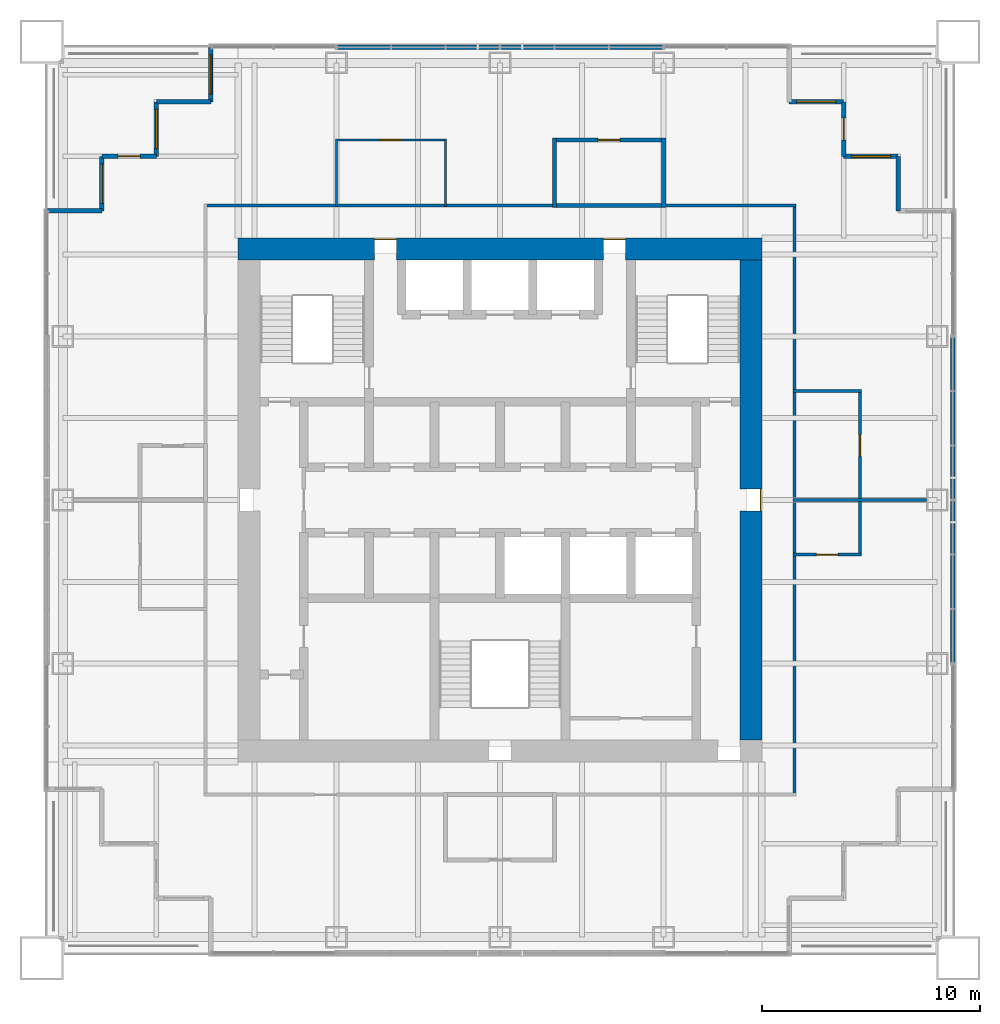
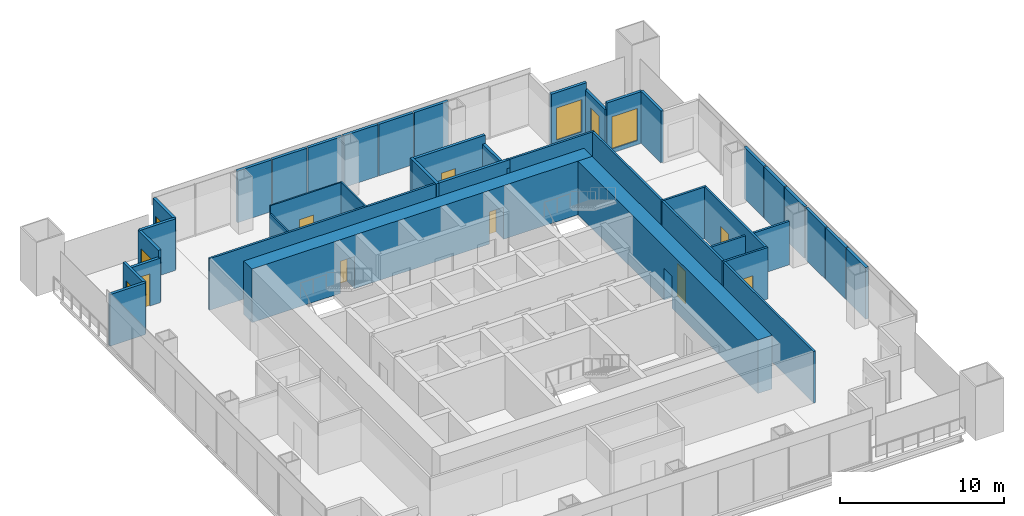
# One storey, part 11 of 14: 38 walls, 9 doors, 5 windows, 14 openings.
"""IFC4 building model written with IfcOpenShell, lengths in metres."""

from ifc_helpers import new_model, si_unit, direction, frame, frame_2d, origin, place, context, subcontext, project, spatial, rectangle, extrude, material, layer, layer_set, type_object, element, fill, save


model = new_model("IFC4")

# Units and contexts
model_context = context("Model", 3, precision=1e-05, world=origin(), true_north=direction((0.0, 1.0)))
body_context = subcontext(model_context, "Body", "Model", "MODEL_VIEW")
ifc_project = project(units=[si_unit("LENGTHUNIT", "METRE"), si_unit("AREAUNIT", "SQUARE_METRE"), si_unit("VOLUMEUNIT", "CUBIC_METRE"), si_unit("PLANEANGLEUNIT", "RADIAN"), si_unit("MASSUNIT", "GRAM", prefix="KILO")], contexts=[model_context])

# Site, building, storey
site_placement = place(None, origin())
site = spatial("IfcSite", under=ifc_project, at=site_placement, CompositionType="ELEMENT")
building_placement = place(site_placement, origin())
building = spatial("IfcBuilding", under=site, at=building_placement, Name="Tarangal Relay Tower", CompositionType="ELEMENT")
storey_placement = place(building_placement, frame((0.0, 0.0, 279.89990234375)))
storey = spatial("IfcBuildingStorey", under=building, at=storey_placement, Name="L61", CompositionType="ELEMENT", Elevation=279.89990234375)

# Wall
ifc_material_1 = material(Name="Two layers gypsum board each side on twin steel studs, mineral wool", Category="steel")
ifc_layer_1 = layer(ifc_material_1, 0.199951171875)
ifc_layer_set_1 = layer_set([ifc_layer_1], Name="Acoustic partition 200")
wall_type_1 = type_object("IfcWallType", Name="Acoustic partition 200", PredefinedType="PARTITIONING", material=ifc_layer_set_1)
wall_1_placement = place(storey_placement, frame((2.39990234375, 13.5, 0.0), z_axis=(0.0, 0.0, 1.0), x_axis=(1.0, 0.0, 0.0)))
element("IfcWall", 1, at=wall_1_placement, inside=storey, type_object=wall_type_1, Name="Partition PT2 L61", PredefinedType="PARTITIONING", context=body_context, shape_type="SweptSolid", body=[
    extrude(rectangle(XDim=5.2001953125, YDim=0.199951171875, at=frame_2d((2.60009765625, 0.0))), origin(), (0.0, 0.0, 1.0), 3.85009765625),
])

# Wall, opening, door
wall_2_placement = place(storey_placement, frame((2.39990234375, 16.5, 0.0), z_axis=(0.0, 0.0, 1.0), x_axis=(1.0, 0.0, 0.0)))
wall_2 = element("IfcWall", 2, at=wall_2_placement, inside=storey, type_object=wall_type_1, Name="Partition PT2 L61", PredefinedType="PARTITIONING", context=body_context, shape_type="SweptSolid", body=[
    extrude(rectangle(XDim=5.2001953125, YDim=0.199951171875, at=frame_2d((2.60009765625, 0.0))), origin(), (0.0, 0.0, 1.0), 3.85009765625),
])
opening_1_placement = place(wall_2_placement, frame((2.10009765625, 0.0, 0.0)))
opening_1 = element("IfcOpeningElement", 3, at=opening_1_placement, cuts=wall_2, Name="Opening D2", PredefinedType="OPENING", context=body_context, shape_type="SweptSolid", body=[
    extrude(rectangle(XDim=1.0, YDim=2.10009765625, at=frame_2d((0.5, 1.050048828125))), frame((0.0, 0.10986328125, 0.0), z_axis=(0.0, -1.0, 0.0), x_axis=(1.0, 0.0, 0.0)), (0.0, 0.0, 1.0), 0.219970703125),
])
ifc_material_2 = material(Name="Hardwood door", Category="wood")
door_type_1 = type_object("IfcDoorType", Name="Door 1000 x 2100", OperationType="SINGLE_SWING_LEFT", PredefinedType="DOOR", material=ifc_material_2)
door_1_placement = place(opening_1_placement, origin())
door_1 = element("IfcDoor", 4, at=door_1_placement, inside=storey, type_object=door_type_1, Name="Door D2 to quiet room L61-03", OperationType="SINGLE_SWING_LEFT", OverallHeight=2.10009765625, OverallWidth=1.0, PredefinedType="DOOR", context=body_context, shape_type="SweptSolid", body=[
    extrude(rectangle(XDim=1.0, YDim=2.10009765625, at=frame_2d((0.5, 1.050048828125))), frame((0.0, 0.02490234375, 0.0), z_axis=(0.0, -1.0, 0.0), x_axis=(1.0, 0.0, 0.0)), (0.0, 0.0, 1.0), 0.050048828125),
])
fill(opening_1, door_1)

# Walls
wall_3_placement = place(storey_placement, frame((2.5, 13.39990234375, 0.0), z_axis=(0.0, 0.0, 1.0), x_axis=(0.0, 1.0, 0.0)))
element("IfcWall", 5, at=wall_3_placement, inside=storey, type_object=wall_type_1, Name="Partition PT2 L61", PredefinedType="PARTITIONING", context=body_context, shape_type="SweptSolid", body=[
    extrude(rectangle(XDim=3.2001953125, YDim=0.199951171875, at=frame_2d((1.60009765625, 0.0))), origin(), (0.0, 0.0, 1.0), 3.85009765625),
])
wall_4_placement = place(storey_placement, frame((7.5, 13.39990234375, 0.0), z_axis=(0.0, 0.0, 1.0), x_axis=(0.0, 1.0, 0.0)))
element("IfcWall", 6, at=wall_4_placement, inside=storey, type_object=wall_type_1, Name="Partition PT2 L61", PredefinedType="PARTITIONING", context=body_context, shape_type="SweptSolid", body=[
    extrude(rectangle(XDim=3.2001953125, YDim=0.199951171875, at=frame_2d((1.60009765625, 0.0))), origin(), (0.0, 0.0, 1.0), 3.2431640625),
])

# Wall, openings, doors
ifc_material_3 = material(Name="Concrete fc' 60 MPa", Category="concrete")
ifc_layer_2 = layer(ifc_material_3, 1.0)
ifc_layer_set_2 = layer_set([ifc_layer_2], Name="Core wall 1000")
wall_type_2 = type_object("IfcWallType", Name="Core wall 1000", PredefinedType="SHEAR", material=ifc_layer_set_2)
wall_5_placement = place(storey_placement, frame((-12.0, 11.5, 0.0), z_axis=(0.0, 0.0, 1.0), x_axis=(1.0, 0.0, 0.0)))
wall_5 = element("IfcWall", 7, at=wall_5_placement, inside=storey, type_object=wall_type_2, Name="Core wall N L61", PredefinedType="SHEAR", context=body_context, shape_type="SweptSolid", body=[
    extrude(rectangle(XDim=24.0, YDim=1.0, at=frame_2d((12.0, 0.0))), origin(), (0.0, 0.0, 1.0), 4.0),
])
opening_2_placement = place(wall_5_placement, frame((6.25, 0.0, 0.0)))
opening_2 = element("IfcOpeningElement", 8, at=opening_2_placement, cuts=wall_5, Name="Opening FD3", PredefinedType="OPENING", context=body_context, shape_type="SweptSolid", body=[
    extrude(rectangle(XDim=1.0, YDim=2.39990234375, at=frame_2d((0.5, 1.199951171875))), frame((0.0, 0.510009765625, 0.0), z_axis=(0.0, -1.0, 0.0), x_axis=(1.0, 0.0, 0.0)), (0.0, 0.0, 1.0), 1.02001953125),
])
opening_3_placement = place(wall_5_placement, frame((16.75, 0.0, 0.0)))
opening_3 = element("IfcOpeningElement", 9, at=opening_3_placement, cuts=wall_5, Name="Opening FD3", PredefinedType="OPENING", context=body_context, shape_type="SweptSolid", body=[
    extrude(rectangle(XDim=1.0, YDim=2.39990234375, at=frame_2d((0.5, 1.199951171875))), frame((0.0, 0.510009765625, 0.0), z_axis=(0.0, -1.0, 0.0), x_axis=(1.0, 0.0, 0.0)), (0.0, 0.0, 1.0), 1.02001953125),
])
ifc_material_4 = material(Name="Steel door with hardwood frame", Category="steel")
door_type_2 = type_object("IfcDoorType", Name="Fire door 1000 x 2400 core entry", OperationType="SINGLE_SWING_RIGHT", PredefinedType="DOOR", material=ifc_material_4)
door_2_placement = place(opening_2_placement, origin())
door_2 = element("IfcDoor", 10, at=door_2_placement, inside=storey, type_object=door_type_2, Name="Core entry door north west L61", OperationType="SINGLE_SWING_RIGHT", OverallHeight=2.39990234375, OverallWidth=1.0, PredefinedType="DOOR", context=body_context, shape_type="SweptSolid", body=[
    extrude(rectangle(XDim=1.0, YDim=2.39990234375, at=frame_2d((0.5, 1.199951171875))), frame((0.0, 0.48486328125, 0.0), z_axis=(0.0, -1.0, 0.0), x_axis=(1.0, 0.0, 0.0)), (0.0, 0.0, 1.0), 0.050048828125),
])
fill(opening_2, door_2)
door_3_placement = place(opening_3_placement, origin())
door_3 = element("IfcDoor", 11, at=door_3_placement, inside=storey, type_object=door_type_2, Name="Core entry door north east L61", OperationType="SINGLE_SWING_RIGHT", OverallHeight=2.39990234375, OverallWidth=1.0, PredefinedType="DOOR", context=body_context, shape_type="SweptSolid", body=[
    extrude(rectangle(XDim=1.0, YDim=2.39990234375, at=frame_2d((0.5, 1.199951171875))), frame((0.0, 0.48486328125, 0.0), z_axis=(0.0, -1.0, 0.0), x_axis=(1.0, 0.0, 0.0)), (0.0, 0.0, 1.0), 0.050048828125),
])
fill(opening_3, door_3)

# Wall, opening, door
wall_6_placement = place(storey_placement, frame((11.5, 11.0, 0.0), z_axis=(0.0, 0.0, 1.0), x_axis=(0.0, -1.0, 0.0)))
wall_6 = element("IfcWall", 12, at=wall_6_placement, inside=storey, type_object=wall_type_2, Name="Core wall E L61", PredefinedType="SHEAR", context=body_context, shape_type="SweptSolid", body=[
    extrude(rectangle(XDim=22.0, YDim=1.0, at=frame_2d((11.0, 0.0))), origin(), (0.0, 0.0, 1.0), 4.0),
])
opening_4_placement = place(wall_6_placement, frame((10.5, 0.0, 0.0)))
opening_4 = element("IfcOpeningElement", 13, at=opening_4_placement, cuts=wall_6, Name="Opening FD3", PredefinedType="OPENING", context=body_context, shape_type="SweptSolid", body=[
    extrude(rectangle(XDim=1.0, YDim=2.39990234375, at=frame_2d((0.5, 1.199951171875))), frame((0.0, 0.510009765625, 0.0), z_axis=(0.0, -1.0, 0.0), x_axis=(1.0, 0.0, 0.0)), (0.0, 0.0, 1.0), 1.02001953125),
])
door_4_placement = place(opening_4_placement, origin())
door_4 = element("IfcDoor", 14, at=door_4_placement, inside=storey, type_object=door_type_2, Name="Core entry door east L61", OperationType="SINGLE_SWING_RIGHT", OverallHeight=2.39990234375, OverallWidth=1.0, PredefinedType="DOOR", context=body_context, shape_type="SweptSolid", body=[
    extrude(rectangle(XDim=1.0, YDim=2.39990234375, at=frame_2d((0.5, 1.199951171875))), frame((0.0, 0.48486328125, 0.0), z_axis=(0.0, -1.0, 0.0), x_axis=(1.0, 0.0, 0.0)), (0.0, 0.0, 1.0), 0.050048828125),
])
fill(opening_4, door_4)

# Wall, opening, window
ifc_material_5 = material(Name="Black metal clad insulated wall", Category="steel")
ifc_layer_3 = layer(ifc_material_5, 0.199951171875)
ifc_layer_set_3 = layer_set([ifc_layer_3], Name="Corner wall metal clad 200")
wall_type_3 = type_object("IfcWallType", Name="Corner wall metal clad 200", PredefinedType="SOLIDWALL", material=ifc_layer_set_3)
wall_7_placement = place(storey_placement, frame((13.25, 18.25, 0.0), z_axis=(0.0, 0.0, 1.0), x_axis=(1.0, 0.0, 0.0)))
wall_7 = element("IfcWall", 15, at=wall_7_placement, inside=storey, type_object=wall_type_3, Name="Facade wall N facade L61", PredefinedType="SOLIDWALL", context=body_context, shape_type="SweptSolid", body=[
    extrude(rectangle(XDim=2.5, YDim=0.199951171875, at=frame_2d((1.25, 0.0))), origin(), (0.0, 0.0, 1.0), 3.85009765625),
])
opening_5_placement = place(wall_7_placement, frame((0.35009765625, 0.0, 0.300048828125)))
opening_5 = element("IfcOpeningElement", 16, at=opening_5_placement, cuts=wall_7, Name="Opening WN2", PredefinedType="OPENING", context=body_context, shape_type="SweptSolid", body=[
    extrude(rectangle(XDim=1.800048828125, YDim=2.39990234375, at=frame_2d((0.89990234375, 1.199951171875))), frame((0.0, 0.10986328125, 0.0), z_axis=(0.0, -1.0, 0.0), x_axis=(1.0, 0.0, 0.0)), (0.0, 0.0, 1.0), 0.219970703125),
])
ifc_material_6 = material(Name="Dark tinted double glazing in black aluminium frame", Category="aluminium")
window_type = type_object("IfcWindowType", Name="Corner window 1800 x 2400", PartitioningType="SINGLE_PANEL", PredefinedType="WINDOW", material=ifc_material_6)
window_1_placement = place(opening_5_placement, origin())
window_1 = element("IfcWindow", 17, at=window_1_placement, inside=storey, type_object=window_type, Name="Corner window WN2 N facade L61", OverallHeight=2.39990234375, OverallWidth=1.800048828125, PartitioningType="SINGLE_PANEL", PredefinedType="WINDOW", context=body_context, shape_type="SweptSolid", body=[
    extrude(rectangle(XDim=1.800048828125, YDim=2.39990234375, at=frame_2d((0.89990234375, 1.199951171875))), frame((0.0, 0.030029296875, 0.0), z_axis=(0.0, -1.0, 0.0), x_axis=(1.0, 0.0, 0.0)), (0.0, 0.0, 1.0), 0.06005859375),
])
fill(opening_5, window_1)

# Wall, opening, door
wall_8_placement = place(storey_placement, frame((15.75, 18.25, 0.0), z_axis=(0.0, 0.0, 1.0), x_axis=(0.0, -1.0, 0.0)))
wall_8 = element("IfcWall", 18, at=wall_8_placement, inside=storey, type_object=wall_type_3, Name="Facade wall N facade L61", PredefinedType="SOLIDWALL", context=body_context, shape_type="SweptSolid", body=[
    extrude(rectangle(XDim=2.5, YDim=0.199951171875, at=frame_2d((1.25, 0.0))), origin(), (0.0, 0.0, 1.0), 3.316650390625),
])
opening_6_placement = place(wall_8_placement, frame((0.75, 0.0, 0.0)))
opening_6 = element("IfcOpeningElement", 19, at=opening_6_placement, cuts=wall_8, Name="Opening TD1", PredefinedType="OPENING", context=body_context, shape_type="SweptSolid", body=[
    extrude(rectangle(XDim=1.0, YDim=2.39990234375, at=frame_2d((0.5, 1.199951171875))), frame((0.0, 0.10986328125, 0.0), z_axis=(0.0, -1.0, 0.0), x_axis=(1.0, 0.0, 0.0)), (0.0, 0.0, 1.0), 0.219970703125),
])
ifc_material_7 = material(Name="Aluminium glazed door", Category="aluminium")
door_type_3 = type_object("IfcDoorType", Name="Terrace door 1000 x 2400", OperationType="SINGLE_SWING_RIGHT", PredefinedType="DOOR", material=ifc_material_7)
door_5_placement = place(opening_6_placement, origin())
door_5 = element("IfcDoor", 20, at=door_5_placement, inside=storey, type_object=door_type_3, Name="Terrace door TD1 NE L61", OperationType="SINGLE_SWING_RIGHT", OverallHeight=2.39990234375, OverallWidth=1.0, PredefinedType="DOOR", context=body_context, shape_type="SweptSolid", body=[
    extrude(rectangle(XDim=1.0, YDim=2.39990234375, at=frame_2d((0.5, 1.199951171875))), frame((0.0, 0.02490234375, 0.0), z_axis=(0.0, -1.0, 0.0), x_axis=(1.0, 0.0, 0.0)), (0.0, 0.0, 1.0), 0.050048828125),
])
fill(opening_6, door_5)

# Wall, opening, window
wall_9_placement = place(storey_placement, frame((15.75, 15.75, 0.0), z_axis=(0.0, 0.0, 1.0), x_axis=(1.0, 0.0, 0.0)))
wall_9 = element("IfcWall", 21, at=wall_9_placement, inside=storey, type_object=wall_type_3, Name="Facade wall N facade L61", PredefinedType="SOLIDWALL", context=body_context, shape_type="SweptSolid", body=[
    extrude(rectangle(XDim=2.5, YDim=0.199951171875, at=frame_2d((1.25, 0.0))), origin(), (0.0, 0.0, 1.0), 3.85009765625),
])
opening_7_placement = place(wall_9_placement, frame((0.35009765625, 0.0, 0.300048828125)))
opening_7 = element("IfcOpeningElement", 22, at=opening_7_placement, cuts=wall_9, Name="Opening WN2", PredefinedType="OPENING", context=body_context, shape_type="SweptSolid", body=[
    extrude(rectangle(XDim=1.800048828125, YDim=2.39990234375, at=frame_2d((0.89990234375, 1.199951171875))), frame((0.0, 0.10986328125, 0.0), z_axis=(0.0, -1.0, 0.0), x_axis=(1.0, 0.0, 0.0)), (0.0, 0.0, 1.0), 0.219970703125),
])
window_2_placement = place(opening_7_placement, origin())
window_2 = element("IfcWindow", 23, at=window_2_placement, inside=storey, type_object=window_type, Name="Corner window WN2 N facade L61", OverallHeight=2.39990234375, OverallWidth=1.800048828125, PartitioningType="SINGLE_PANEL", PredefinedType="WINDOW", context=body_context, shape_type="SweptSolid", body=[
    extrude(rectangle(XDim=1.800048828125, YDim=2.39990234375, at=frame_2d((0.89990234375, 1.199951171875))), frame((0.0, 0.030029296875, 0.0), z_axis=(0.0, -1.0, 0.0), x_axis=(1.0, 0.0, 0.0)), (0.0, 0.0, 1.0), 0.06005859375),
])
fill(opening_7, window_2)

# Walls
for number, where, z_axis, x_axis, name in (
    (24, (18.25, 15.75, 0.0), (0.0, 0.0, 1.0), (0.0, -1.0, 0.0), "Facade wall N facade L61"),
    (25, (-20.75, 13.25, 0.0), (0.0, 0.0, 1.0), (1.0, 0.0, 0.0), "Facade wall W facade L61"),
):
    element("IfcWall", number, at=place(storey_placement, frame(where, z_axis=z_axis, x_axis=x_axis)), inside=storey, type_object=wall_type_3, Name=name, PredefinedType="SOLIDWALL", context=body_context, shape_type="SweptSolid", body=[
        extrude(rectangle(XDim=2.5, YDim=0.199951171875, at=frame_2d((1.25, 0.0))), origin(), (0.0, 0.0, 1.0), 3.85009765625),
    ])

# Wall, opening, window
wall_10_placement = place(storey_placement, frame((-18.25, 13.25, 0.0), z_axis=(0.0, 0.0, 1.0), x_axis=(0.0, 1.0, 0.0)))
wall_10 = element("IfcWall", 26, at=wall_10_placement, inside=storey, type_object=wall_type_3, Name="Facade wall W facade L61", PredefinedType="SOLIDWALL", context=body_context, shape_type="SweptSolid", body=[
    extrude(rectangle(XDim=2.5, YDim=0.199951171875, at=frame_2d((1.25, 0.0))), origin(), (0.0, 0.0, 1.0), 3.85009765625),
])
opening_8_placement = place(wall_10_placement, frame((0.35009765625, 0.0, 0.300048828125)))
opening_8 = element("IfcOpeningElement", 27, at=opening_8_placement, cuts=wall_10, Name="Opening WN2", PredefinedType="OPENING", context=body_context, shape_type="SweptSolid", body=[
    extrude(rectangle(XDim=1.800048828125, YDim=2.39990234375, at=frame_2d((0.89990234375, 1.199951171875))), frame((0.0, 0.10986328125, 0.0), z_axis=(0.0, -1.0, 0.0), x_axis=(1.0, 0.0, 0.0)), (0.0, 0.0, 1.0), 0.219970703125),
])
window_3_placement = place(opening_8_placement, origin())
window_3 = element("IfcWindow", 28, at=window_3_placement, inside=storey, type_object=window_type, Name="Corner window WN2 W facade L61", OverallHeight=2.39990234375, OverallWidth=1.800048828125, PartitioningType="SINGLE_PANEL", PredefinedType="WINDOW", context=body_context, shape_type="SweptSolid", body=[
    extrude(rectangle(XDim=1.800048828125, YDim=2.39990234375, at=frame_2d((0.89990234375, 1.199951171875))), frame((0.0, 0.030029296875, 0.0), z_axis=(0.0, -1.0, 0.0), x_axis=(1.0, 0.0, 0.0)), (0.0, 0.0, 1.0), 0.06005859375),
])
fill(opening_8, window_3)

# Wall, opening, door
wall_11_placement = place(storey_placement, frame((-18.25, 15.75, 0.0), z_axis=(0.0, 0.0, 1.0), x_axis=(1.0, 0.0, 0.0)))
wall_11 = element("IfcWall", 29, at=wall_11_placement, inside=storey, type_object=wall_type_3, Name="Facade wall W facade L61", PredefinedType="SOLIDWALL", context=body_context, shape_type="SweptSolid", body=[
    extrude(rectangle(XDim=2.5, YDim=0.199951171875, at=frame_2d((1.25, 0.0))), origin(), (0.0, 0.0, 1.0), 3.316650390625),
])
opening_9_placement = place(wall_11_placement, frame((0.75, 0.0, 0.0)))
opening_9 = element("IfcOpeningElement", 30, at=opening_9_placement, cuts=wall_11, Name="Opening TD1", PredefinedType="OPENING", context=body_context, shape_type="SweptSolid", body=[
    extrude(rectangle(XDim=1.0, YDim=2.39990234375, at=frame_2d((0.5, 1.199951171875))), frame((0.0, 0.10986328125, 0.0), z_axis=(0.0, -1.0, 0.0), x_axis=(1.0, 0.0, 0.0)), (0.0, 0.0, 1.0), 0.219970703125),
])
door_6_placement = place(opening_9_placement, origin())
door_6 = element("IfcDoor", 31, at=door_6_placement, inside=storey, type_object=door_type_3, Name="Terrace door TD1 NW L61", OperationType="SINGLE_SWING_RIGHT", OverallHeight=2.39990234375, OverallWidth=1.0, PredefinedType="DOOR", context=body_context, shape_type="SweptSolid", body=[
    extrude(rectangle(XDim=1.0, YDim=2.39990234375, at=frame_2d((0.5, 1.199951171875))), frame((0.0, 0.02490234375, 0.0), z_axis=(0.0, -1.0, 0.0), x_axis=(1.0, 0.0, 0.0)), (0.0, 0.0, 1.0), 0.050048828125),
])
fill(opening_9, door_6)

# Wall, opening, window
wall_12_placement = place(storey_placement, frame((-15.75, 15.75, 0.0), z_axis=(0.0, 0.0, 1.0), x_axis=(0.0, 1.0, 0.0)))
wall_12 = element("IfcWall", 32, at=wall_12_placement, inside=storey, type_object=wall_type_3, Name="Facade wall W facade L61", PredefinedType="SOLIDWALL", context=body_context, shape_type="SweptSolid", body=[
    extrude(rectangle(XDim=2.5, YDim=0.199951171875, at=frame_2d((1.25, 0.0))), origin(), (0.0, 0.0, 1.0), 3.85009765625),
])
opening_10_placement = place(wall_12_placement, frame((0.35009765625, 0.0, 0.300048828125)))
opening_10 = element("IfcOpeningElement", 33, at=opening_10_placement, cuts=wall_12, Name="Opening WN2", PredefinedType="OPENING", context=body_context, shape_type="SweptSolid", body=[
    extrude(rectangle(XDim=1.800048828125, YDim=2.39990234375, at=frame_2d((0.89990234375, 1.199951171875))), frame((0.0, 0.10986328125, 0.0), z_axis=(0.0, -1.0, 0.0), x_axis=(1.0, 0.0, 0.0)), (0.0, 0.0, 1.0), 0.219970703125),
])
window_4_placement = place(opening_10_placement, origin())
window_4 = element("IfcWindow", 34, at=window_4_placement, inside=storey, type_object=window_type, Name="Corner window WN2 W facade L61", OverallHeight=2.39990234375, OverallWidth=1.800048828125, PartitioningType="SINGLE_PANEL", PredefinedType="WINDOW", context=body_context, shape_type="SweptSolid", body=[
    extrude(rectangle(XDim=1.800048828125, YDim=2.39990234375, at=frame_2d((0.89990234375, 1.199951171875))), frame((0.0, 0.030029296875, 0.0), z_axis=(0.0, -1.0, 0.0), x_axis=(1.0, 0.0, 0.0)), (0.0, 0.0, 1.0), 0.06005859375),
])
fill(opening_10, window_4)

# Wall
wall_13_placement = place(storey_placement, frame((-15.75, 18.25, 0.0), z_axis=(0.0, 0.0, 1.0), x_axis=(1.0, 0.0, 0.0)))
element("IfcWall", 35, at=wall_13_placement, inside=storey, type_object=wall_type_3, Name="Facade wall W facade L61", PredefinedType="SOLIDWALL", context=body_context, shape_type="SweptSolid", body=[
    extrude(rectangle(XDim=2.5, YDim=0.199951171875, at=frame_2d((1.25, 0.0))), origin(), (0.0, 0.0, 1.0), 3.85009765625),
])

# Wall, opening, window
wall_14_placement = place(storey_placement, frame((-13.25, 18.25, 0.0), z_axis=(0.0, 0.0, 1.0), x_axis=(0.0, 1.0, 0.0)))
wall_14 = element("IfcWall", 36, at=wall_14_placement, inside=storey, type_object=wall_type_3, Name="Facade wall W facade L61", PredefinedType="SOLIDWALL", context=body_context, shape_type="SweptSolid", body=[
    extrude(rectangle(XDim=2.5, YDim=0.199951171875, at=frame_2d((1.25, 0.0))), origin(), (0.0, 0.0, 1.0), 3.85009765625),
])
opening_11_placement = place(wall_14_placement, frame((0.35009765625, 0.0, 0.300048828125)))
opening_11 = element("IfcOpeningElement", 37, at=opening_11_placement, cuts=wall_14, Name="Opening WN2", PredefinedType="OPENING", context=body_context, shape_type="SweptSolid", body=[
    extrude(rectangle(XDim=1.800048828125, YDim=2.39990234375, at=frame_2d((0.89990234375, 1.199951171875))), frame((0.0, 0.10986328125, 0.0), z_axis=(0.0, -1.0, 0.0), x_axis=(1.0, 0.0, 0.0)), (0.0, 0.0, 1.0), 0.219970703125),
])
window_5_placement = place(opening_11_placement, origin())
window_5 = element("IfcWindow", 38, at=window_5_placement, inside=storey, type_object=window_type, Name="Corner window WN2 W facade L61", OverallHeight=2.39990234375, OverallWidth=1.800048828125, PartitioningType="SINGLE_PANEL", PredefinedType="WINDOW", context=body_context, shape_type="SweptSolid", body=[
    extrude(rectangle(XDim=1.800048828125, YDim=2.39990234375, at=frame_2d((0.89990234375, 1.199951171875))), frame((0.0, 0.030029296875, 0.0), z_axis=(0.0, -1.0, 0.0), x_axis=(1.0, 0.0, 0.0)), (0.0, 0.0, 1.0), 0.06005859375),
])
fill(opening_11, window_5)

# Walls
ifc_layer_4 = layer(ifc_material_5, 0.199951171875)
ifc_layer_set_4 = layer_set([ifc_layer_4], Name="Facade infill wall metal clad 200")
wall_type_4 = type_object("IfcWallType", Name="Facade infill wall metal clad 200", PredefinedType="SOLIDWALL", material=ifc_layer_set_4)
wall_15_placement = place(storey_placement, frame((-7.43994140625, 20.75, 0.0), z_axis=(0.0, 0.0, 1.0), x_axis=(1.0, 0.0, 0.0)))
element("IfcWall", 39, at=wall_15_placement, inside=storey, type_object=wall_type_4, Name="Facade infill wall N facade L61 1.1", PredefinedType="SOLIDWALL", context=body_context, shape_type="SweptSolid", body=[
    extrude(rectangle(XDim=2.409912109375, YDim=0.199951171875, at=frame_2d((1.205078125, 0.0))), origin(), (0.0, 0.0, 1.0), 3.85009765625),
])
wall_16_placement = place(storey_placement, frame((-4.969970703125, 20.75, 0.0), z_axis=(0.0, 0.0, 1.0), x_axis=(1.0, 0.0, 0.0)))
element("IfcWall", 40, at=wall_16_placement, inside=storey, type_object=wall_type_4, Name="Facade infill wall N facade L61 2.1", PredefinedType="SOLIDWALL", context=body_context, shape_type="SweptSolid", body=[
    extrude(rectangle(XDim=2.43994140625, YDim=0.199951171875, at=frame_2d((1.219970703125, 0.0))), origin(), (0.0, 0.0, 1.0), 3.85009765625),
])
for number, where, z_axis, x_axis, name in (
    (41, (-2.469970703125, 20.75, 0.0), (0.0, 0.0, 1.0), (1.0, 0.0, 0.0), "Facade infill wall N facade L61 3.1"),
    (42, (0.06005859375, 20.75, 0.0), (0.0, 0.0, 1.0), (1.0, 0.0, 0.0), "Facade infill wall N facade L61 1.1"),
):
    element("IfcWall", number, at=place(storey_placement, frame(where, z_axis=z_axis, x_axis=x_axis)), inside=storey, type_object=wall_type_4, Name=name, PredefinedType="SOLIDWALL", context=body_context, shape_type="SweptSolid", body=[
        extrude(rectangle(XDim=2.409912109375, YDim=0.199951171875, at=frame_2d((1.205078125, 0.0))), origin(), (0.0, 0.0, 1.0), 3.85009765625),
    ])
wall_17_placement = place(storey_placement, frame((2.530029296875, 20.75, 0.0), z_axis=(0.0, 0.0, 1.0), x_axis=(1.0, 0.0, 0.0)))
element("IfcWall", 43, at=wall_17_placement, inside=storey, type_object=wall_type_4, Name="Facade infill wall N facade L61 2.1", PredefinedType="SOLIDWALL", context=body_context, shape_type="SweptSolid", body=[
    extrude(rectangle(XDim=2.43994140625, YDim=0.199951171875, at=frame_2d((1.219970703125, 0.0))), origin(), (0.0, 0.0, 1.0), 3.85009765625),
])
for number, where, z_axis, x_axis, name in (
    (44, (5.030029296875, 20.75, 0.0), (0.0, 0.0, 1.0), (1.0, 0.0, 0.0), "Facade infill wall N facade L61 3.1"),
    (45, (20.75, 7.43994140625, 0.0), (0.0, 0.0, 1.0), (0.0, -1.0, 0.0), "Facade infill wall E facade L61 1.1"),
):
    element("IfcWall", number, at=place(storey_placement, frame(where, z_axis=z_axis, x_axis=x_axis)), inside=storey, type_object=wall_type_4, Name=name, PredefinedType="SOLIDWALL", context=body_context, shape_type="SweptSolid", body=[
        extrude(rectangle(XDim=2.409912109375, YDim=0.199951171875, at=frame_2d((1.205078125, 0.0))), origin(), (0.0, 0.0, 1.0), 3.85009765625),
    ])
wall_18_placement = place(storey_placement, frame((20.75, 4.969970703125, 0.0), z_axis=(0.0, 0.0, 1.0), x_axis=(0.0, -1.0, 0.0)))
element("IfcWall", 46, at=wall_18_placement, inside=storey, type_object=wall_type_4, Name="Facade infill wall E facade L61 2.1", PredefinedType="SOLIDWALL", context=body_context, shape_type="SweptSolid", body=[
    extrude(rectangle(XDim=2.43994140625, YDim=0.199951171875, at=frame_2d((1.219970703125, 0.0))), origin(), (0.0, 0.0, 1.0), 3.85009765625),
])
for number, where, z_axis, x_axis, name in (
    (47, (20.75, 2.469970703125, 0.0), (0.0, 0.0, 1.0), (0.0, -1.0, 0.0), "Facade infill wall E facade L61 3.1"),
    (48, (20.75, -0.06005859375, 0.0), (0.0, 0.0, 1.0), (0.0, -1.0, 0.0), "Facade infill wall E facade L61 1.1"),
):
    element("IfcWall", number, at=place(storey_placement, frame(where, z_axis=z_axis, x_axis=x_axis)), inside=storey, type_object=wall_type_4, Name=name, PredefinedType="SOLIDWALL", context=body_context, shape_type="SweptSolid", body=[
        extrude(rectangle(XDim=2.409912109375, YDim=0.199951171875, at=frame_2d((1.205078125, 0.0))), origin(), (0.0, 0.0, 1.0), 3.85009765625),
    ])
wall_19_placement = place(storey_placement, frame((20.75, -2.530029296875, 0.0), z_axis=(0.0, 0.0, 1.0), x_axis=(0.0, -1.0, 0.0)))
element("IfcWall", 49, at=wall_19_placement, inside=storey, type_object=wall_type_4, Name="Facade infill wall E facade L61 2.1", PredefinedType="SOLIDWALL", context=body_context, shape_type="SweptSolid", body=[
    extrude(rectangle(XDim=2.43994140625, YDim=0.199951171875, at=frame_2d((1.219970703125, 0.0))), origin(), (0.0, 0.0, 1.0), 3.85009765625),
])
wall_20_placement = place(storey_placement, frame((20.75, -5.030029296875, 0.0), z_axis=(0.0, 0.0, 1.0), x_axis=(0.0, -1.0, 0.0)))
element("IfcWall", 50, at=wall_20_placement, inside=storey, type_object=wall_type_4, Name="Facade infill wall E facade L61 3.1", PredefinedType="SOLIDWALL", context=body_context, shape_type="SweptSolid", body=[
    extrude(rectangle(XDim=2.409912109375, YDim=0.199951171875, at=frame_2d((1.205078125, 0.0))), origin(), (0.0, 0.0, 1.0), 3.85009765625),
])

# Wall, opening, door
ifc_material_8 = material(Name="Double glazed aluminium framed partition", Category="aluminium")
ifc_layer_5 = layer(ifc_material_8, 0.10009765625)
ifc_layer_set_5 = layer_set([ifc_layer_5], Name="Glazed partition 100")
wall_type_5 = type_object("IfcWallType", Name="Glazed partition 100", PredefinedType="PARTITIONING", material=ifc_layer_set_5)
wall_21_placement = place(storey_placement, frame((-7.550048828125, 16.5, 0.0), z_axis=(0.0, 0.0, 1.0), x_axis=(1.0, 0.0, 0.0)))
wall_21 = element("IfcWall", 51, at=wall_21_placement, inside=storey, type_object=wall_type_5, Name="Partition PT3 L61", PredefinedType="PARTITIONING", context=body_context, shape_type="SweptSolid", body=[
    extrude(rectangle(XDim=5.10009765625, YDim=0.10009765625, at=frame_2d((2.550048828125, 0.0))), origin(), (0.0, 0.0, 1.0), 3.85009765625),
])
opening_12_placement = place(wall_21_placement, frame((2.050048828125, 0.0, 0.0)))
opening_12 = element("IfcOpeningElement", 52, at=opening_12_placement, cuts=wall_21, Name="Opening D3", PredefinedType="OPENING", context=body_context, shape_type="SweptSolid", body=[
    extrude(rectangle(XDim=1.0, YDim=2.10009765625, at=frame_2d((0.5, 1.050048828125))), frame((0.0, 0.06005859375, 0.0), z_axis=(0.0, -1.0, 0.0), x_axis=(1.0, 0.0, 0.0)), (0.0, 0.0, 1.0), 0.1201171875),
])
ifc_material_9 = material(Name="Frameless glass door", Category="glass")
door_type_4 = type_object("IfcDoorType", Name="Glazed door 1000 x 2100", OperationType="SINGLE_SWING_LEFT", PredefinedType="DOOR", material=ifc_material_9)
door_7_placement = place(opening_12_placement, origin())
door_7 = element("IfcDoor", 53, at=door_7_placement, inside=storey, type_object=door_type_4, Name="Door D3 to meeting room L61-02", OperationType="SINGLE_SWING_LEFT", OverallHeight=2.10009765625, OverallWidth=1.0, PredefinedType="DOOR", context=body_context, shape_type="SweptSolid", body=[
    extrude(rectangle(XDim=1.0, YDim=2.10009765625, at=frame_2d((0.5, 1.050048828125))), frame((0.0, 0.02490234375, 0.0), z_axis=(0.0, -1.0, 0.0), x_axis=(1.0, 0.0, 0.0)), (0.0, 0.0, 1.0), 0.050048828125),
])
fill(opening_12, door_7)

# Walls
wall_22_placement = place(storey_placement, frame((-7.5, 13.449951171875, 0.0), z_axis=(0.0, 0.0, 1.0), x_axis=(0.0, 1.0, 0.0)))
element("IfcWall", 54, at=wall_22_placement, inside=storey, type_object=wall_type_5, Name="Partition PT3 L61", PredefinedType="PARTITIONING", context=body_context, shape_type="SweptSolid", body=[
    extrude(rectangle(XDim=3.10009765625, YDim=0.10009765625, at=frame_2d((1.550048828125, 0.0))), origin(), (0.0, 0.0, 1.0), 3.2431640625),
])
wall_23_placement = place(storey_placement, frame((-2.5, 13.449951171875, 0.0), z_axis=(0.0, 0.0, 1.0), x_axis=(0.0, 1.0, 0.0)))
element("IfcWall", 55, at=wall_23_placement, inside=storey, type_object=wall_type_5, Name="Partition PT3 L61", PredefinedType="PARTITIONING", context=body_context, shape_type="SweptSolid", body=[
    extrude(rectangle(XDim=3.10009765625, YDim=0.10009765625, at=frame_2d((1.550048828125, 0.0))), origin(), (0.0, 0.0, 1.0), 3.85009765625),
])

# Wall, opening, door
ifc_material_10 = material(Name="Gypsum board on steel studs", Category="steel")
ifc_layer_6 = layer(ifc_material_10, 0.14990234375)
ifc_layer_set_6 = layer_set([ifc_layer_6], Name="Partition 150")
wall_type_6 = type_object("IfcWallType", Name="Partition 150", PredefinedType="PARTITIONING", material=ifc_layer_set_6)
wall_24_placement = place(storey_placement, frame((13.425048828125, -2.5, 0.0), z_axis=(0.0, 0.0, 1.0), x_axis=(1.0, 0.0, 0.0)))
wall_24 = element("IfcWall", 56, at=wall_24_placement, inside=storey, type_object=wall_type_6, Name="Partition PT1 L61", PredefinedType="PARTITIONING", context=body_context, shape_type="SweptSolid", body=[
    extrude(rectangle(XDim=3.14990234375, YDim=0.14990234375, at=frame_2d((1.574951171875, 0.0))), origin(), (0.0, 0.0, 1.0), 3.85009765625),
])
opening_13_placement = place(wall_24_placement, frame((1.074951171875, 0.0, 0.0)))
opening_13 = element("IfcOpeningElement", 57, at=opening_13_placement, cuts=wall_24, Name="Opening D2", PredefinedType="OPENING", context=body_context, shape_type="SweptSolid", body=[
    extrude(rectangle(XDim=1.0, YDim=2.10009765625, at=frame_2d((0.5, 1.050048828125))), frame((0.0, 0.0849609375, 0.0), z_axis=(0.0, -1.0, 0.0), x_axis=(1.0, 0.0, 0.0)), (0.0, 0.0, 1.0), 0.169921875),
])
door_8_placement = place(opening_13_placement, origin())
door_8 = element("IfcDoor", 58, at=door_8_placement, inside=storey, type_object=door_type_1, Name="Door D2 to print room L61-05", OperationType="SINGLE_SWING_LEFT", OverallHeight=2.10009765625, OverallWidth=1.0, PredefinedType="DOOR", context=body_context, shape_type="SweptSolid", body=[
    extrude(rectangle(XDim=1.0, YDim=2.10009765625, at=frame_2d((0.5, 1.050048828125))), frame((0.0, 0.02490234375, 0.0), z_axis=(0.0, -1.0, 0.0), x_axis=(1.0, 0.0, 0.0)), (0.0, 0.0, 1.0), 0.050048828125),
])
fill(opening_13, door_8)

# Walls
wall_25_placement = place(storey_placement, frame((13.425048828125, 0.0, 0.0), z_axis=(0.0, 0.0, 1.0), x_axis=(1.0, 0.0, 0.0)))
element("IfcWall", 59, at=wall_25_placement, inside=storey, type_object=wall_type_6, Name="Partition PT1 L61", PredefinedType="PARTITIONING", context=body_context, shape_type="SweptSolid", body=[
    extrude(rectangle(XDim=6.114990234375, YDim=0.14990234375, at=frame_2d((3.0576171875, 0.0))), origin(), (0.0, 0.0, 1.0), 3.2431640625),
])
wall_26_placement = place(storey_placement, frame((13.425048828125, 5.0, 0.0), z_axis=(0.0, 0.0, 1.0), x_axis=(1.0, 0.0, 0.0)))
element("IfcWall", 60, at=wall_26_placement, inside=storey, type_object=wall_type_6, Name="Partition PT1 L61", PredefinedType="PARTITIONING", context=body_context, shape_type="SweptSolid", body=[
    extrude(rectangle(XDim=3.14990234375, YDim=0.14990234375, at=frame_2d((1.574951171875, 0.0))), origin(), (0.0, 0.0, 1.0), 3.85009765625),
])
wall_27_placement = place(storey_placement, frame((-13.574951171875, 13.5, 0.0), z_axis=(0.0, 0.0, 1.0), x_axis=(1.0, 0.0, 0.0)))
element("IfcWall", 61, at=wall_27_placement, inside=storey, type_object=wall_type_6, Name="Partition PT1 L61", PredefinedType="PARTITIONING", context=body_context, shape_type="SweptSolid", body=[
    extrude(rectangle(XDim=16.14990234375, YDim=0.14990234375, at=frame_2d((8.074951171875, 0.0))), origin(), (0.0, 0.0, 1.0), 3.85009765625),
])
wall_28_placement = place(storey_placement, frame((7.425048828125, 13.5, 0.0), z_axis=(0.0, 0.0, 1.0), x_axis=(1.0, 0.0, 0.0)))
element("IfcWall", 62, at=wall_28_placement, inside=storey, type_object=wall_type_6, Name="Partition PT1 L61", PredefinedType="PARTITIONING", context=body_context, shape_type="SweptSolid", body=[
    extrude(rectangle(XDim=6.14990234375, YDim=0.14990234375, at=frame_2d((3.074951171875, 0.0))), origin(), (0.0, 0.0, 1.0), 3.85009765625),
])
wall_29_placement = place(storey_placement, frame((13.5, -13.574951171875, 0.0), z_axis=(0.0, 0.0, 1.0), x_axis=(0.0, 1.0, 0.0)))
element("IfcWall", 63, at=wall_29_placement, inside=storey, type_object=wall_type_6, Name="Partition PT1 L61", PredefinedType="PARTITIONING", context=body_context, shape_type="SweptSolid", body=[
    extrude(rectangle(XDim=27.14990234375, YDim=0.14990234375, at=frame_2d((13.574951171875, 0.0))), origin(), (0.0, 0.0, 1.0), 3.85009765625),
])

# Wall, opening, door
wall_30_placement = place(storey_placement, frame((16.5, -2.574951171875, 0.0), z_axis=(0.0, 0.0, 1.0), x_axis=(0.0, 1.0, 0.0)))
wall_30 = element("IfcWall", 64, at=wall_30_placement, inside=storey, type_object=wall_type_6, Name="Partition PT1 L61", PredefinedType="PARTITIONING", context=body_context, shape_type="SweptSolid", body=[
    extrude(rectangle(XDim=7.64990234375, YDim=0.14990234375, at=frame_2d((3.824951171875, 0.0))), origin(), (0.0, 0.0, 1.0), 3.85009765625),
])
opening_14_placement = place(wall_30_placement, frame((4.574951171875, 0.0, 0.0)))
opening_14 = element("IfcOpeningElement", 65, at=opening_14_placement, cuts=wall_30, Name="Opening D2", PredefinedType="OPENING", context=body_context, shape_type="SweptSolid", body=[
    extrude(rectangle(XDim=1.0, YDim=2.10009765625, at=frame_2d((0.5, 1.050048828125))), frame((0.0, 0.0849609375, 0.0), z_axis=(0.0, -1.0, 0.0), x_axis=(1.0, 0.0, 0.0)), (0.0, 0.0, 1.0), 0.169921875),
])
door_9_placement = place(opening_14_placement, origin())
door_9 = element("IfcDoor", 66, at=door_9_placement, inside=storey, type_object=door_type_1, Name="Door D2 to cellular office L61-04", OperationType="SINGLE_SWING_LEFT", OverallHeight=2.10009765625, OverallWidth=1.0, PredefinedType="DOOR", context=body_context, shape_type="SweptSolid", body=[
    extrude(rectangle(XDim=1.0, YDim=2.10009765625, at=frame_2d((0.5, 1.050048828125))), frame((0.0, 0.02490234375, 0.0), z_axis=(0.0, -1.0, 0.0), x_axis=(1.0, 0.0, 0.0)), (0.0, 0.0, 1.0), 0.050048828125),
])
fill(opening_14, door_9)

save(model, "model.ifc")
